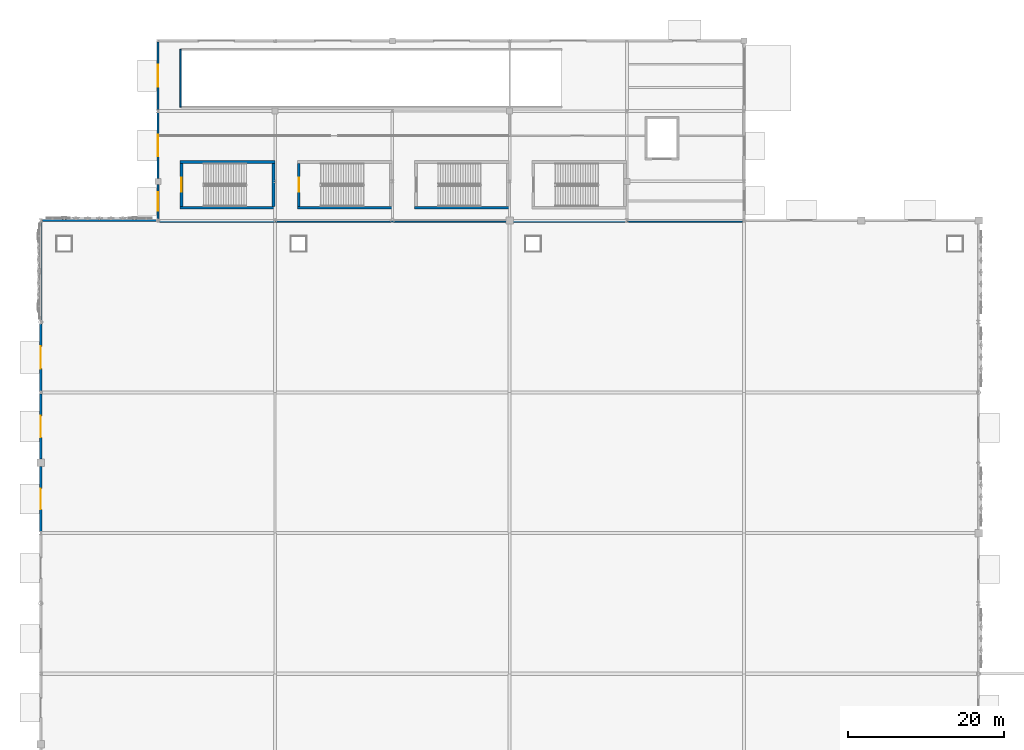
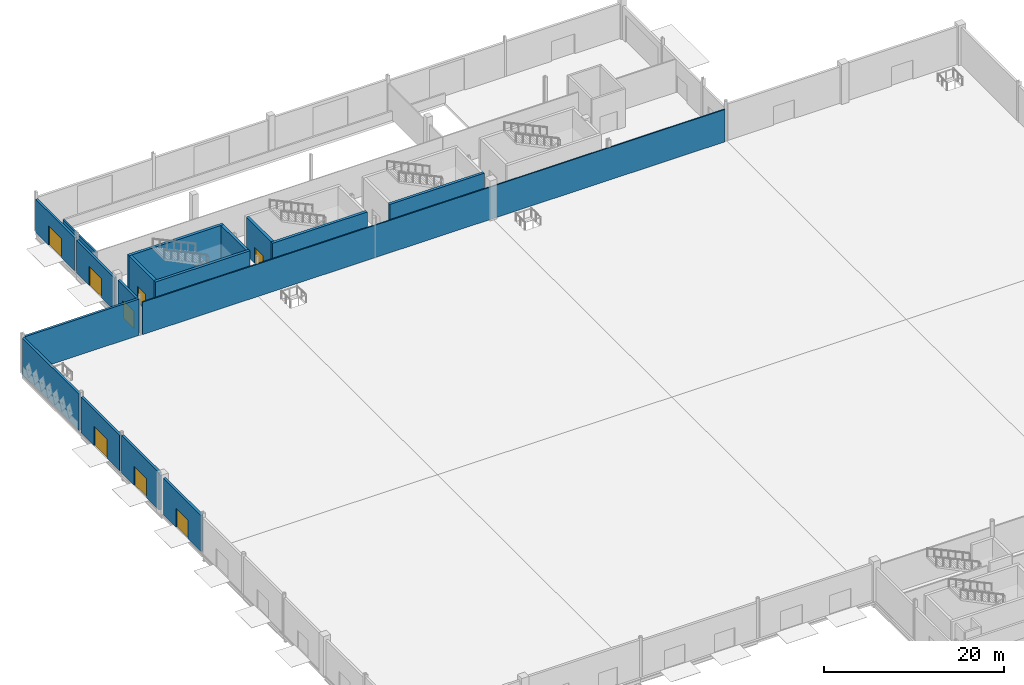
# One storey, part 55 of 94: 17 walls, 8 doors, 8 openings.
"""IFC4 building model written with IfcOpenShell, lengths in metres."""

import ifcopenshell
import ifcopenshell.guid

model = None  # the IFC model being written
_history = None  # IfcOwnerHistory: only IFC2X3 demands one
_inside = {}  # id of a spatial element -> (the spatial element, [elements in it])
_under = {}  # id of a project, library or spatial element -> (it, [spatial elements below it])
_declared = {}  # id of a project -> (the project, [libraries it declares])
_typed = {}  # id of a type object -> (the type object, [elements of that type])
_made_of = {}  # id of a material, layer set ... -> (it, [elements and type objects made of it])


def new_model(schema):
    """Start an empty IFC model of exactly this schema.

    Asked for "IFC4X3", IfcOpenShell would pick the latest addendum, in which some entities
    have other attributes; the version numbers below select the first issue.
    IFC2X3 requires an IfcOwnerHistory on every rooted entity: one is made here for all.
    """
    global model, _history
    if schema == "IFC4X3":
        model = ifcopenshell.file(schema_version=(4, 3, 0, 0))
    else:
        model = ifcopenshell.file(schema=schema)
    _inside.clear()
    _under.clear()
    _declared.clear()
    _typed.clear()
    _made_of.clear()
    _history = None
    if model.schema == "IFC2X3":
        org = make("IfcOrganization", Name="unknown")
        user = make(
            "IfcPersonAndOrganization",
            ThePerson=make("IfcPerson", FamilyName="unknown"),
            TheOrganization=org,
        )
        app = make(
            "IfcApplication",
            ApplicationDeveloper=org,
            Version="unknown",
            ApplicationFullName="unknown",
            ApplicationIdentifier="unknown",
        )
        _history = make(
            "IfcOwnerHistory",
            OwningUser=user,
            OwningApplication=app,
            ChangeAction="ADDED",
            CreationDate=0,
        )
    return model


def make(cls, **values):
    """One entity of the class cls with the attributes given. An attribute that is None is left unset."""
    return model.create_entity(
        cls, **{name: value for name, value in values.items() if value is not None}
    )


def rooted(cls, **values):
    """An entity with a GlobalId (a new one), such as an element, a storey or a relation."""
    return make(cls, GlobalId=ifcopenshell.guid.new(), OwnerHistory=_history, **values)


def si_unit(unit_type, name, prefix=None):
    """IfcSIUnit, for example si_unit("LENGTHUNIT", "METRE", prefix="MILLI")."""
    return make("IfcSIUnit", UnitType=unit_type, Prefix=prefix, Name=name)


def assignment(units):
    """IfcUnitAssignment: the units of a project."""
    return None if units is None else make("IfcUnitAssignment", Units=units)


def point(xyz):
    """IfcCartesianPoint."""
    return None if xyz is None else make("IfcCartesianPoint", Coordinates=xyz)


def direction(xyz):
    """IfcDirection."""
    return None if xyz is None else make("IfcDirection", DirectionRatios=xyz)


def frame(location, z_axis=None, x_axis=None):
    """IfcAxis2Placement3D, a coordinate frame: its origin and axes. An axis left out is left unset."""
    return make(
        "IfcAxis2Placement3D",
        Location=point(location),
        Axis=direction(z_axis),
        RefDirection=direction(x_axis),
    )


def frame_2d(location, x_axis=None):
    """IfcAxis2Placement2D, a coordinate frame in the plane: its origin and x axis."""
    return make(
        "IfcAxis2Placement2D", Location=point(location), RefDirection=direction(x_axis)
    )


def origin():
    """The frame at (0, 0, 0) with its axes left unset."""
    return frame((0.0, 0.0, 0.0))


def place(relative_to, where):
    """IfcLocalPlacement: puts the frame where relative to a parent placement (None: the world)."""
    return make(
        "IfcLocalPlacement", PlacementRelTo=relative_to, RelativePlacement=where
    )


def context(
    kind, dimensions, precision=None, world=None, true_north=None, identifier=None
):
    """IfcGeometricRepresentationContext, for example the 3D "Model" context."""
    return make(
        "IfcGeometricRepresentationContext",
        ContextIdentifier=identifier,
        ContextType=kind,
        CoordinateSpaceDimension=dimensions,
        Precision=precision,
        WorldCoordinateSystem=world,
        TrueNorth=true_north,
    )


def subcontext(parent, identifier, kind, view, scale=None):
    """IfcGeometricRepresentationSubContext, for example "Body" below "Model"."""
    return make(
        "IfcGeometricRepresentationSubContext",
        ContextIdentifier=identifier,
        ContextType=kind,
        ParentContext=parent,
        TargetScale=scale,
        TargetView=view,
    )


def project(units=None, contexts=None):
    """IfcProject with its units and contexts."""
    return rooted(
        "IfcProject",
        Name="project",
        RepresentationContexts=contexts,
        UnitsInContext=assignment(units),
    )


def spatial(cls, under=None, at=None, **own):
    """A site, building, storey or space (cls), placed at a placement, below another one or the project."""
    s = rooted(cls, ObjectPlacement=at, **own)
    if under is not None:
        _under.setdefault(under.id(), (under, []))[1].append(s)
    return s


def profile(cls, at=None, kind="AREA", **sizes):
    """A parametric profile (cls). Its sizes go by their IFC names, for example OverallWidth=200.0."""
    return make(cls, ProfileType=kind, Position=at, **sizes)


def rectangle(**sizes):
    """IfcRectangleProfileDef."""
    return profile("IfcRectangleProfileDef", **sizes)


def extrude(swept, where, along, depth):
    """IfcExtrudedAreaSolid: the profile swept, set in the frame where, extruded along a direction by depth."""
    return make(
        "IfcExtrudedAreaSolid",
        SweptArea=swept,
        Position=where,
        ExtrudedDirection=direction(along),
        Depth=depth,
    )


def shape(context_of_items, identifier, shape_type, items):
    """IfcShapeRepresentation: the items that make up one representation, for example the "Body"."""
    return make(
        "IfcShapeRepresentation",
        ContextOfItems=context_of_items,
        RepresentationIdentifier=identifier,
        RepresentationType=shape_type,
        Items=items,
    )


def material(Name=None, Category=None):
    """IfcMaterial."""
    return make("IfcMaterial", Name=Name, Category=Category)


def layer(
    of_material, thickness, ventilated=None, Name=None, Category=None, Priority=None
):
    """IfcMaterialLayer: one layer of a wall or slab, of a material (None: an air gap)."""
    return make(
        "IfcMaterialLayer",
        Material=of_material,
        LayerThickness=thickness,
        IsVentilated=ventilated,
        Name=Name,
        Category=Category,
        Priority=Priority,
    )


def layer_set(layers, Name=None):
    """IfcMaterialLayerSet."""
    return make("IfcMaterialLayerSet", MaterialLayers=layers, LayerSetName=Name)


def made_of(thing, what):
    """Note that an element or type object is made of a material, layer set ...; save() writes the relation."""
    if what is not None:
        _made_of.setdefault(what.id(), (what, []))[1].append(thing)
    return thing


def type_object(cls, material=None, **own):
    """A type object (cls), such as IfcWallType, which elements share."""
    return made_of(rooted(cls, **own), material)


def element(
    cls,
    number,
    at=None,
    inside=None,
    cuts=None,
    type_object=None,
    material=None,
    context=None,
    identifier="Body",
    shape_type=None,
    held_by="IfcProductDefinitionShape",
    body=None,
    shapes=None,
    **own,
):
    """One element of the class cls, such as IfcWall. Its Tag is "e" and its number.

    at: its placement. inside: the storey or other place that contains it. cuts: it is an
    opening in that element (IfcRelVoidsElement). A single representation is given by context,
    identifier, shape_type and body (its items); several are given by shapes. held_by: the class
    of the entity that holds the representations. save() writes the other relations.
    """
    e = rooted(cls, Tag="e%d" % number, ObjectPlacement=at, **own)
    if body is not None:
        shapes = [shape(context, identifier, shape_type, body)]
    if shapes is not None:
        e.Representation = make(held_by, Representations=shapes)
    if inside is not None:
        _inside.setdefault(inside.id(), (inside, []))[1].append(e)
    if cuts is not None:
        rooted(
            "IfcRelVoidsElement", RelatingBuildingElement=cuts, RelatedOpeningElement=e
        )
    if type_object is not None:
        _typed.setdefault(type_object.id(), (type_object, []))[1].append(e)
    return made_of(e, material)


def fill(opening, filler):
    """IfcRelFillsElement: the door or window that sits in an opening."""
    return rooted(
        "IfcRelFillsElement",
        RelatingOpeningElement=opening,
        RelatedBuildingElement=filler,
    )


def aggregate(whole, parts):
    """IfcRelAggregates: a whole, such as a stair, and the parts it consists of."""
    return rooted("IfcRelAggregates", RelatingObject=whole, RelatedObjects=parts)


def save(model, path):
    """Write the relations noted so far, then the file.

    IfcRelAggregates (storeys below a building ...), IfcRelContainedInSpatialStructure (elements
    in a storey), IfcRelDefinesByType, IfcRelAssociatesMaterial and IfcRelDeclares: one each for
    every whole, place, type object, material and project.
    """
    for whole, parts in _under.values():
        aggregate(whole, parts)
    for where, things in _inside.values():
        rooted(
            "IfcRelContainedInSpatialStructure",
            RelatedElements=things,
            RelatingStructure=where,
        )
    for kind, things in _typed.values():
        rooted("IfcRelDefinesByType", RelatedObjects=things, RelatingType=kind)
    for what, things in _made_of.values():
        rooted("IfcRelAssociatesMaterial", RelatedObjects=things, RelatingMaterial=what)
    for by, libraries in _declared.values():
        rooted("IfcRelDeclares", RelatingContext=by, RelatedDefinitions=libraries)
    model.write(path)


model = new_model("IFC4")

# Units and contexts
model_context = context("Model", 3, precision=1e-05, world=origin(), true_north=direction((0.0, 1.0)))
body_context = subcontext(model_context, "Body", "Model", "MODEL_VIEW")
ifc_project = project(units=[si_unit("LENGTHUNIT", "METRE"), si_unit("AREAUNIT", "SQUARE_METRE"), si_unit("VOLUMEUNIT", "CUBIC_METRE"), si_unit("PLANEANGLEUNIT", "RADIAN"), si_unit("MASSUNIT", "GRAM", prefix="KILO")], contexts=[model_context])

# Site, building, storey
site_placement = place(None, origin())
site = spatial("IfcSite", under=ifc_project, at=site_placement, CompositionType="ELEMENT")
building_placement = place(site_placement, origin())
building = spatial("IfcBuilding", under=site, at=building_placement, Name="Qamarlyn Nura Convention Centre", CompositionType="ELEMENT")
storey_placement = place(building_placement, origin())
storey = spatial("IfcBuildingStorey", under=building, at=storey_placement, Name="L00", CompositionType="ELEMENT", Elevation=0.0)

# Walls
ifc_material_1 = material(Name="Concrete C50/60", Category="concrete")
ifc_layer_1 = layer(ifc_material_1, 0.35009765625, Name="WT-CORE-350")
ifc_layer_set_1 = layer_set([ifc_layer_1], Name="Concrete C50/60")
wall_type_1 = type_object("IfcWallType", Name="WT-CORE-350", PredefinedType="SHEAR", material=ifc_layer_set_1)
for number, where, z_axis, x_axis, name in (
    (1, (17.85009765625, 104.625, 0.0), (0.0, 0.0, 1.0), (1.0, 0.0, 0.0), "L00 stair core shear wall ST-01-S"),
    (2, (29.949951171875, 110.47509765625, 0.0), (0.0, 0.0, 1.0), (-1.0, 0.0, 0.0), "L00 stair core shear wall ST-01-N"),
):
    element("IfcWall", number, at=place(storey_placement, frame(where, z_axis=z_axis, x_axis=x_axis)), inside=storey, type_object=wall_type_1, Name=name, PredefinedType="SHEAR", context=body_context, shape_type="SweptSolid", body=[
        extrude(rectangle(XDim=12.099853515625, YDim=0.35009765625, at=frame_2d((6.0498046875, 0.0))), origin(), (0.0, 0.0, 1.0), 5.179931640625),
    ])

# Wall, opening, door
wall_1_placement = place(storey_placement, frame((18.02490234375, 110.300048828125, 0.0), z_axis=(0.0, 0.0, 1.0), x_axis=(0.0, -1.0, 0.0)))
wall_1 = element("IfcWall", 3, at=wall_1_placement, inside=storey, type_object=wall_type_1, Name="L00 stair core shear wall ST-01-W", PredefinedType="SHEAR", context=body_context, shape_type="SweptSolid", body=[
    extrude(rectangle(XDim=5.5, YDim=0.35009765625, at=frame_2d((2.75, 0.0))), origin(), (0.0, 0.0, 1.0), 5.179931640625),
])
opening_1_placement = place(wall_1_placement, frame((1.85009765625, 0.0, 0.0)))
opening_1 = element("IfcOpeningElement", 4, at=opening_1_placement, cuts=wall_1, Name="Opening DS-002", PredefinedType="OPENING", context=body_context, shape_type="SweptSolid", body=[
    extrude(rectangle(XDim=1.800048828125, YDim=2.199951171875, at=frame_2d((0.89990234375, 1.10009765625))), frame((0.0, 0.18505859375, 0.0), z_axis=(0.0, -1.0, 0.0), x_axis=(1.0, 0.0, 0.0)), (0.0, 0.0, 1.0), 0.3701171875),
])
ifc_material_2 = material(Name="Galvanised fire-rated hollow steel door", Category="steel")
door_type_1 = type_object("IfcDoorType", Name="DR-STAIR-1800", OperationType="DOUBLE_DOOR_SINGLE_SWING", PredefinedType="DOOR", material=ifc_material_2)
door_1_placement = place(opening_1_placement, origin())
door_1 = element("IfcDoor", 5, at=door_1_placement, inside=storey, type_object=door_type_1, Name="L00 exit stair door ST-01 (DS-002)", OperationType="DOUBLE_DOOR_SINGLE_SWING", OverallHeight=2.199951171875, OverallWidth=1.800048828125, PredefinedType="DOOR", context=body_context, shape_type="SweptSolid", body=[
    extrude(rectangle(XDim=1.800048828125, YDim=2.199951171875, at=frame_2d((0.89990234375, 1.10009765625))), frame((0.0, 0.02490234375, 0.0), z_axis=(0.0, -1.0, 0.0), x_axis=(1.0, 0.0, 0.0)), (0.0, 0.0, 1.0), 0.050048828125),
])
fill(opening_1, door_1)

# Walls
wall_2_placement = place(storey_placement, frame((29.77490234375, 104.800048828125, 0.0), z_axis=(0.0, 0.0, 1.0), x_axis=(0.0, 1.0, 0.0)))
element("IfcWall", 6, at=wall_2_placement, inside=storey, type_object=wall_type_1, Name="L00 stair core shear wall ST-01-E", PredefinedType="SHEAR", context=body_context, shape_type="SweptSolid", body=[
    extrude(rectangle(XDim=5.5, YDim=0.35009765625, at=frame_2d((2.75, 0.0))), origin(), (0.0, 0.0, 1.0), 5.179931640625),
])
wall_3_placement = place(storey_placement, frame((32.85009765625, 104.625, 0.0), z_axis=(0.0, 0.0, 1.0), x_axis=(1.0, 0.0, 0.0)))
element("IfcWall", 7, at=wall_3_placement, inside=storey, type_object=wall_type_1, Name="L00 stair core shear wall ST-02-S", PredefinedType="SHEAR", context=body_context, shape_type="SweptSolid", body=[
    extrude(rectangle(XDim=12.099853515625, YDim=0.35009765625, at=frame_2d((6.0498046875, 0.0))), origin(), (0.0, 0.0, 1.0), 5.179931640625),
])

# Wall, opening, door
wall_4_placement = place(storey_placement, frame((33.02490234375, 110.300048828125, 0.0), z_axis=(0.0, 0.0, 1.0), x_axis=(0.0, -1.0, 0.0)))
wall_4 = element("IfcWall", 8, at=wall_4_placement, inside=storey, type_object=wall_type_1, Name="L00 stair core shear wall ST-02-W", PredefinedType="SHEAR", context=body_context, shape_type="SweptSolid", body=[
    extrude(rectangle(XDim=5.5, YDim=0.35009765625, at=frame_2d((2.75, 0.0))), origin(), (0.0, 0.0, 1.0), 5.179931640625),
])
opening_2_placement = place(wall_4_placement, frame((1.85009765625, 0.0, 0.0)))
opening_2 = element("IfcOpeningElement", 9, at=opening_2_placement, cuts=wall_4, Name="Opening DS-005", PredefinedType="OPENING", context=body_context, shape_type="SweptSolid", body=[
    extrude(rectangle(XDim=1.800048828125, YDim=2.199951171875, at=frame_2d((0.89990234375, 1.10009765625))), frame((0.0, 0.18505859375, 0.0), z_axis=(0.0, -1.0, 0.0), x_axis=(1.0, 0.0, 0.0)), (0.0, 0.0, 1.0), 0.3701171875),
])
door_2_placement = place(opening_2_placement, origin())
door_2 = element("IfcDoor", 10, at=door_2_placement, inside=storey, type_object=door_type_1, Name="L00 exit stair door ST-02 (DS-005)", OperationType="DOUBLE_DOOR_SINGLE_SWING", OverallHeight=2.199951171875, OverallWidth=1.800048828125, PredefinedType="DOOR", context=body_context, shape_type="SweptSolid", body=[
    extrude(rectangle(XDim=1.800048828125, YDim=2.199951171875, at=frame_2d((0.89990234375, 1.10009765625))), frame((0.0, 0.02490234375, 0.0), z_axis=(0.0, -1.0, 0.0), x_axis=(1.0, 0.0, 0.0)), (0.0, 0.0, 1.0), 0.050048828125),
])
fill(opening_2, door_2)

# Wall
wall_5_placement = place(storey_placement, frame((47.85009765625, 104.625, 0.0), z_axis=(0.0, 0.0, 1.0), x_axis=(1.0, 0.0, 0.0)))
element("IfcWall", 11, at=wall_5_placement, inside=storey, type_object=wall_type_1, Name="L00 stair core shear wall ST-03-S", PredefinedType="SHEAR", context=body_context, shape_type="SweptSolid", body=[
    extrude(rectangle(XDim=12.099853515625, YDim=0.35009765625, at=frame_2d((6.0498046875, 0.0))), origin(), (0.0, 0.0, 1.0), 5.179931640625),
])

# Wall, opening, door
ifc_material_3 = material(Name="Concrete C40/50", Category="concrete")
ifc_layer_2 = layer(ifc_material_3, 0.280029296875, Name="WT-EXT-280")
ifc_layer_set_2 = layer_set([ifc_layer_2], Name="Concrete C40/50")
wall_type_2 = type_object("IfcWallType", Name="WT-EXT-280", PredefinedType="SOLIDWALL", material=ifc_layer_set_2)
wall_6_placement = place(storey_placement, frame((15.0, 103.203125, 0.0), z_axis=(0.0, 0.0, 1.0), x_axis=(0.0, 1.0, 0.0)))
wall_6 = element("IfcWall", 12, at=wall_6_placement, inside=storey, type_object=wall_type_2, Name="L00 exterior facade wall WEXT-L00-150-1032-150-1076", PredefinedType="SOLIDWALL", context=body_context, shape_type="SweptSolid", body=[
    extrude(rectangle(XDim=4.421875, YDim=0.280029296875, at=frame_2d((2.2109375, 0.0))), origin(), (0.0, 0.0, 1.0), 4.553955078125),
])
opening_3_placement = place(wall_6_placement, frame((1.035888671875, 0.0, 0.0)))
opening_3 = element("IfcOpeningElement", 13, at=opening_3_placement, cuts=wall_6, Name="Opening E-29", PredefinedType="OPENING", context=body_context, shape_type="SweptSolid", body=[
    extrude(rectangle(XDim=2.35009765625, YDim=2.3798828125, at=frame_2d((1.175048828125, 1.18994140625))), frame((0.0, 0.14990234375, 0.0), z_axis=(0.0, -1.0, 0.0), x_axis=(1.0, 0.0, 0.0)), (0.0, 0.0, 1.0), 0.300048828125),
])
ifc_material_4 = material(Name="Champagne-anodised marine aluminium", Category="aluminium")
door_type_2 = type_object("IfcDoorType", Name="DR-EXIT-2350", OperationType="DOUBLE_DOOR_SINGLE_SWING", PredefinedType="DOOR", material=ifc_material_4)
door_3_placement = place(opening_3_placement, origin())
door_3 = element("IfcDoor", 14, at=door_3_placement, inside=storey, type_object=door_type_2, Name="Final exit E-29", OperationType="DOUBLE_DOOR_SINGLE_SWING", OverallHeight=2.3798828125, OverallWidth=2.35009765625, PredefinedType="DOOR", context=body_context, shape_type="SweptSolid", body=[
    extrude(rectangle(XDim=2.35009765625, YDim=2.3798828125, at=frame_2d((1.175048828125, 1.18994140625))), frame((0.0, 0.02490234375, 0.0), z_axis=(0.0, -1.0, 0.0), x_axis=(1.0, 0.0, 0.0)), (0.0, 0.0, 1.0), 0.050048828125),
])
fill(opening_3, door_3)

wall_7_placement = place(storey_placement, frame((15.0, 108.375, 0.0), z_axis=(0.0, 0.0, 1.0), x_axis=(0.0, 1.0, 0.0)))
wall_7 = element("IfcWall", 15, at=wall_7_placement, inside=storey, type_object=wall_type_2, Name="L00 exterior facade wall WEXT-L00-150-1084-150-1168", PredefinedType="SOLIDWALL", context=body_context, shape_type="SweptSolid", body=[
    extrude(rectangle(XDim=8.43896484375, YDim=0.280029296875, at=frame_2d((4.219482421875, 0.0))), origin(), (0.0, 0.0, 1.0), 4.39208984375),
])
opening_4_placement = place(wall_7_placement, frame((2.844482421875, 0.0, 0.0)))
opening_4 = element("IfcOpeningElement", 16, at=opening_4_placement, cuts=wall_7, Name="Opening E-30", PredefinedType="OPENING", context=body_context, shape_type="SweptSolid", body=[
    extrude(rectangle(XDim=2.75, YDim=2.580078125, at=frame_2d((1.375, 1.2900390625))), frame((0.0, 0.14990234375, 0.0), z_axis=(0.0, -1.0, 0.0), x_axis=(1.0, 0.0, 0.0)), (0.0, 0.0, 1.0), 0.300048828125),
])
door_type_3 = type_object("IfcDoorType", Name="DR-MAIN-2750", OperationType="DOUBLE_DOOR_SINGLE_SWING", PredefinedType="DOOR", material=ifc_material_4)
door_4_placement = place(opening_4_placement, origin())
door_4 = element("IfcDoor", 17, at=door_4_placement, inside=storey, type_object=door_type_3, Name="Final exit E-30", OperationType="DOUBLE_DOOR_SINGLE_SWING", OverallHeight=2.580078125, OverallWidth=2.75, PredefinedType="DOOR", context=body_context, shape_type="SweptSolid", body=[
    extrude(rectangle(XDim=2.75, YDim=2.580078125, at=frame_2d((1.375, 1.2900390625))), frame((0.0, 0.02490234375, 0.0), z_axis=(0.0, -1.0, 0.0), x_axis=(1.0, 0.0, 0.0)), (0.0, 0.0, 1.0), 0.050048828125),
])
fill(opening_4, door_4)

wall_8_placement = place(storey_placement, frame((15.0, 117.18603515625, 0.0), z_axis=(0.0, 0.0, 1.0), x_axis=(0.0, 1.0, 0.0)))
wall_8 = element("IfcWall", 18, at=wall_8_placement, inside=storey, type_object=wall_type_2, Name="L00 exterior facade wall WEXT-L00-150-1172-150-1258", PredefinedType="SOLIDWALL", context=body_context, shape_type="SweptSolid", body=[
    extrude(rectangle(XDim=8.659912109375, YDim=0.280029296875, at=frame_2d((4.330078125, 0.0))), origin(), (0.0, 0.0, 1.0), 4.469970703125),
])
opening_5_placement = place(wall_8_placement, frame((2.905029296875, 0.0, 0.0)))
opening_5 = element("IfcOpeningElement", 19, at=opening_5_placement, cuts=wall_8, Name="Opening E-31", PredefinedType="OPENING", context=body_context, shape_type="SweptSolid", body=[
    extrude(rectangle(XDim=2.85009765625, YDim=2.6201171875, at=frame_2d((1.425048828125, 1.31005859375))), frame((0.0, 0.14990234375, 0.0), z_axis=(0.0, -1.0, 0.0), x_axis=(1.0, 0.0, 0.0)), (0.0, 0.0, 1.0), 0.300048828125),
])
door_type_4 = type_object("IfcDoorType", Name="DR-MAIN-2850", OperationType="DOUBLE_DOOR_SINGLE_SWING", PredefinedType="DOOR", material=ifc_material_4)
door_5_placement = place(opening_5_placement, origin())
door_5 = element("IfcDoor", 20, at=door_5_placement, inside=storey, type_object=door_type_4, Name="Final exit E-31", OperationType="DOUBLE_DOOR_SINGLE_SWING", OverallHeight=2.6201171875, OverallWidth=2.85009765625, PredefinedType="DOOR", context=body_context, shape_type="SweptSolid", body=[
    extrude(rectangle(XDim=2.85009765625, YDim=2.6201171875, at=frame_2d((1.425048828125, 1.31005859375))), frame((0.0, 0.02490234375, 0.0), z_axis=(0.0, -1.0, 0.0), x_axis=(1.0, 0.0, 0.0)), (0.0, 0.0, 1.0), 0.050048828125),
])
fill(opening_5, door_5)

ifc_material_5 = material(Name="Concrete C40/50 with UAE coastal limestone stone facing", Category="masonry")
ifc_layer_3 = layer(ifc_material_5, 0.300048828125, Name="WT-LIME-300")
ifc_layer_set_3 = layer_set([ifc_layer_3], Name="Concrete C40/50 with UAE coastal limestone stone facing")
wall_type_3 = type_object("IfcWallType", Name="WT-LIME-300", PredefinedType="SOLIDWALL", material=ifc_layer_set_3)
wall_9_placement = place(storey_placement, frame((0.0, 63.21240234375, 0.0), z_axis=(0.0, 0.0, 1.0), x_axis=(0.0, 1.0, 0.0)))
wall_9 = element("IfcWall", 21, at=wall_9_placement, inside=storey, type_object=wall_type_3, Name="L00 exterior facade wall WEXT-L00-0-632-0-715", PredefinedType="SOLIDWALL", context=body_context, shape_type="SweptSolid", body=[
    extrude(rectangle(XDim=8.3125, YDim=0.300048828125, at=frame_2d((4.15625, 0.0))), origin(), (0.0, 0.0, 1.0), 4.9189453125),
])
opening_6_placement = place(wall_9_placement, frame((2.831298828125, 0.0, 0.0)))
opening_6 = element("IfcOpeningElement", 22, at=opening_6_placement, cuts=wall_9, Name="Opening E-05", PredefinedType="OPENING", context=body_context, shape_type="SweptSolid", body=[
    extrude(rectangle(XDim=2.64990234375, YDim=2.52001953125, at=frame_2d((1.324951171875, 1.260009765625))), frame((0.0, 0.16015625, 0.0), z_axis=(0.0, -1.0, 0.0), x_axis=(1.0, 0.0, 0.0)), (0.0, 0.0, 1.0), 0.320068359375),
])
door_type_5 = type_object("IfcDoorType", Name="DR-EXIT-2650", OperationType="DOUBLE_DOOR_SINGLE_SWING", PredefinedType="DOOR", material=ifc_material_4)
door_6_placement = place(opening_6_placement, origin())
door_6 = element("IfcDoor", 23, at=door_6_placement, inside=storey, type_object=door_type_5, Name="Main entrance E-05", OperationType="DOUBLE_DOOR_SINGLE_SWING", OverallHeight=2.52001953125, OverallWidth=2.64990234375, PredefinedType="DOOR", context=body_context, shape_type="SweptSolid", body=[
    extrude(rectangle(XDim=2.64990234375, YDim=2.52001953125, at=frame_2d((1.324951171875, 1.260009765625))), frame((0.0, 0.02490234375, 0.0), z_axis=(0.0, -1.0, 0.0), x_axis=(1.0, 0.0, 0.0)), (0.0, 0.0, 1.0), 0.050048828125),
])
fill(opening_6, door_6)

wall_10_placement = place(storey_placement, frame((0.0, 72.47509765625, 0.0), z_axis=(0.0, 0.0, 1.0), x_axis=(0.0, 1.0, 0.0)))
wall_10 = element("IfcWall", 24, at=wall_10_placement, inside=storey, type_object=wall_type_3, Name="L00 exterior facade wall WEXT-L00-0-725-0-808", PredefinedType="SOLIDWALL", context=body_context, shape_type="SweptSolid", body=[
    extrude(rectangle(XDim=8.32177734375, YDim=0.300048828125, at=frame_2d((4.160888671875, 0.0))), origin(), (0.0, 0.0, 1.0), 5.0849609375),
])
opening_7_placement = place(wall_10_placement, frame((2.785888671875, 0.0, 0.0)))
opening_7 = element("IfcOpeningElement", 25, at=opening_7_placement, cuts=wall_10, Name="Opening E-06", PredefinedType="OPENING", context=body_context, shape_type="SweptSolid", body=[
    extrude(rectangle(XDim=2.75, YDim=2.580078125, at=frame_2d((1.375, 1.2900390625))), frame((0.0, 0.16015625, 0.0), z_axis=(0.0, -1.0, 0.0), x_axis=(1.0, 0.0, 0.0)), (0.0, 0.0, 1.0), 0.320068359375),
])
door_7_placement = place(opening_7_placement, origin())
door_7 = element("IfcDoor", 26, at=door_7_placement, inside=storey, type_object=door_type_3, Name="Main entrance E-06", OperationType="DOUBLE_DOOR_SINGLE_SWING", OverallHeight=2.580078125, OverallWidth=2.75, PredefinedType="DOOR", context=body_context, shape_type="SweptSolid", body=[
    extrude(rectangle(XDim=2.75, YDim=2.580078125, at=frame_2d((1.375, 1.2900390625))), frame((0.0, 0.02490234375, 0.0), z_axis=(0.0, -1.0, 0.0), x_axis=(1.0, 0.0, 0.0)), (0.0, 0.0, 1.0), 0.050048828125),
])
fill(opening_7, door_7)

wall_11_placement = place(storey_placement, frame((0.0, 81.203125, 0.0), z_axis=(0.0, 0.0, 1.0), x_axis=(0.0, 1.0, 0.0)))
wall_11 = element("IfcWall", 27, at=wall_11_placement, inside=storey, type_object=wall_type_3, Name="L00 exterior facade wall WEXT-L00-0-812-0-897", PredefinedType="SOLIDWALL", context=body_context, shape_type="SweptSolid", body=[
    extrude(rectangle(XDim=8.54296875, YDim=0.300048828125, at=frame_2d((4.271484375, 0.0))), origin(), (0.0, 0.0, 1.0), 4.845947265625),
])
opening_8_placement = place(wall_11_placement, frame((2.846435546875, 0.0, 0.0)))
opening_8 = element("IfcOpeningElement", 28, at=opening_8_placement, cuts=wall_11, Name="Opening E-07", PredefinedType="OPENING", context=body_context, shape_type="SweptSolid", body=[
    extrude(rectangle(XDim=2.85009765625, YDim=2.6201171875, at=frame_2d((1.425048828125, 1.31005859375))), frame((0.0, 0.16015625, 0.0), z_axis=(0.0, -1.0, 0.0), x_axis=(1.0, 0.0, 0.0)), (0.0, 0.0, 1.0), 0.320068359375),
])
door_8_placement = place(opening_8_placement, origin())
door_8 = element("IfcDoor", 29, at=door_8_placement, inside=storey, type_object=door_type_4, Name="Main entrance E-07", OperationType="DOUBLE_DOOR_SINGLE_SWING", OverallHeight=2.6201171875, OverallWidth=2.85009765625, PredefinedType="DOOR", context=body_context, shape_type="SweptSolid", body=[
    extrude(rectangle(XDim=2.85009765625, YDim=2.6201171875, at=frame_2d((1.425048828125, 1.31005859375))), frame((0.0, 0.02490234375, 0.0), z_axis=(0.0, -1.0, 0.0), x_axis=(1.0, 0.0, 0.0)), (0.0, 0.0, 1.0), 0.050048828125),
])
fill(opening_8, door_8)

# Walls
wall_12_placement = place(storey_placement, frame((0.0, 90.25390625, 0.0), z_axis=(0.0, 0.0, 1.0), x_axis=(0.0, 1.0, 0.0)))
element("IfcWall", 30, at=wall_12_placement, inside=storey, type_object=wall_type_3, Name="L00 exterior facade wall WEXT-L00-0-903-0-1028", PredefinedType="SOLIDWALL", context=body_context, shape_type="SweptSolid", body=[
    extrude(rectangle(XDim=12.53369140625, YDim=0.300048828125, at=frame_2d((6.266845703125, 0.0))), origin(), (0.0, 0.0, 1.0), 4.9189453125),
])
wall_13_placement = place(storey_placement, frame((0.20458984375, 103.0, 0.0), z_axis=(0.0, 0.0, 1.0), x_axis=(1.0, 0.0, 0.0)))
element("IfcWall", 31, at=wall_13_placement, inside=storey, type_object=wall_type_3, Name="L00 exterior facade wall WEXT-L00-2-1030-148-1030", PredefinedType="SOLIDWALL", context=body_context, shape_type="SweptSolid", body=[
    extrude(rectangle(XDim=14.59228515625, YDim=0.300048828125, at=frame_2d((7.296142578125, 0.0))), origin(), (0.0, 0.0, 1.0), 4.9189453125),
])
ifc_layer_4 = layer(ifc_material_3, 0.205078125, Name="WT-PAR-205")
ifc_layer_set_4 = layer_set([ifc_layer_4], Name="Concrete C40/50")
wall_type_4 = type_object("IfcWallType", Name="WT-PAR-205", PredefinedType="PARAPET", material=ifc_layer_set_4)
wall_14_placement = place(storey_placement, frame((17.89990234375, 124.89990234375, 0.0), z_axis=(0.0, 0.0, 1.0), x_axis=(0.0, -1.0, 0.0)))
element("IfcWall", 32, at=wall_14_placement, inside=storey, type_object=wall_type_4, Name="L00 car park ramp opening guard wall W", PredefinedType="PARAPET", context=body_context, shape_type="SweptSolid", body=[
    extrude(rectangle(XDim=7.39990234375, YDim=0.205078125, at=frame_2d((3.699951171875, 0.0))), origin(), (0.0, 0.0, 1.0), 1.25),
])
ifc_material_6 = material(Name="Fire-rated acoustic gypsum board EI 60")
ifc_layer_5 = layer(ifc_material_6, 0.159912109375, Name="WT-PART-160")
ifc_layer_set_5 = layer_set([ifc_layer_5], Name="Fire-rated acoustic gypsum board EI 60")
wall_type_5 = type_object("IfcWallType", Name="WT-PART-160", PredefinedType="PARTITIONING", material=ifc_layer_set_5)
wall_15_placement = place(storey_placement, frame((15.216796875, 102.840087890625, 0.0), z_axis=(0.0, 0.0, 1.0), x_axis=(1.0, 0.0, 0.0)))
element("IfcWall", 33, at=wall_15_placement, inside=storey, type_object=wall_type_5, Name="L00 interior partition L00-EXH-MAIN-1-2", PredefinedType="PARTITIONING", context=body_context, shape_type="SweptSolid", body=[
    extrude(rectangle(XDim=74.56640625, YDim=0.159912109375, at=frame_2d((37.283203125, 0.0))), origin(), (0.0, 0.0, 1.0), 4.39208984375),
])

save(model, "model.ifc")
